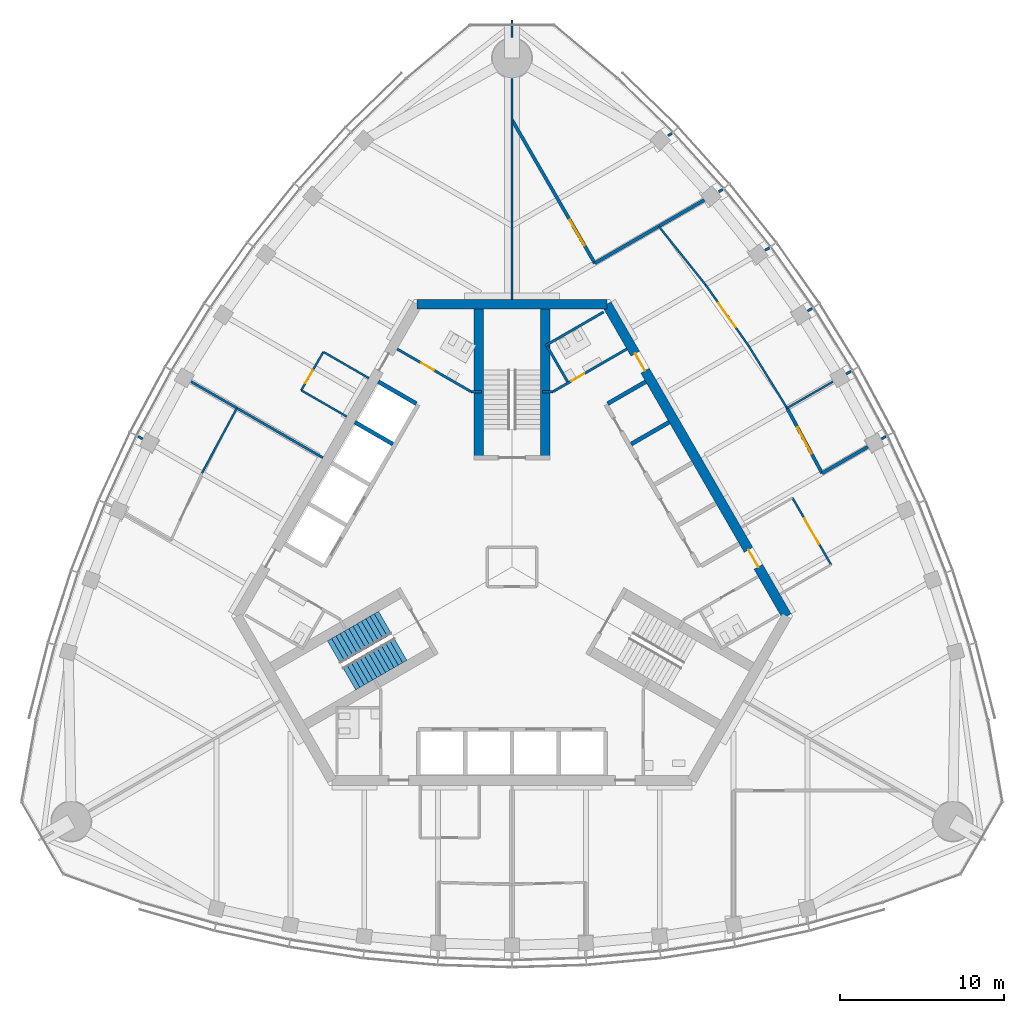
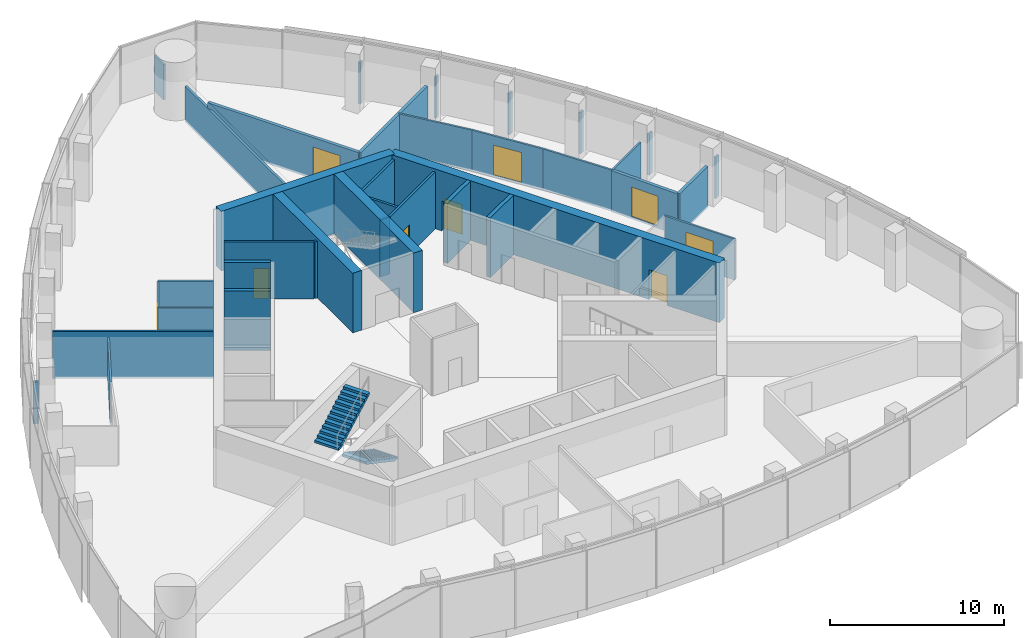
# One storey, part 10 of 16: 37 walls, 9 doors, 2 stair flights, 9 openings, 1 element without a shape of its own.
"""IFC4 building model written with IfcOpenShell, lengths in metres."""

from ifc_helpers import new_model, si_unit, direction, frame, frame_2d, origin, place, context, subcontext, project, spatial, polyline, rectangle, outline, extrude, material, layer, layer_set, type_object, element, fill, aggregate, save


model = new_model("IFC4")

# Units and contexts
model_context = context("Model", 3, precision=1e-05, world=origin(), true_north=direction((0.0, 1.0)))
body_context = subcontext(model_context, "Body", "Model", "MODEL_VIEW")
ifc_project = project(units=[si_unit("LENGTHUNIT", "METRE"), si_unit("AREAUNIT", "SQUARE_METRE"), si_unit("VOLUMEUNIT", "CUBIC_METRE"), si_unit("PLANEANGLEUNIT", "RADIAN"), si_unit("MASSUNIT", "GRAM", prefix="KILO")], contexts=[model_context])

# Site, building, storey
site_placement = place(None, origin())
site = spatial("IfcSite", under=ifc_project, at=site_placement, CompositionType="ELEMENT")
building_placement = place(site_placement, origin())
building = spatial("IfcBuilding", under=site, at=building_placement, Name="Trefoil Bronze Tower", CompositionType="ELEMENT")
storey_placement = place(building_placement, frame((0.0, 0.0, 314.10009765625)))
storey = spatial("IfcBuildingStorey", under=building, at=storey_placement, Name="L72", CompositionType="ELEMENT", Elevation=314.10009765625)

# Wall, opening, door
ifc_material_1 = material(Name="Gypsum board on steel studs", Category="steel")
ifc_layer_1 = layer(ifc_material_1, 0.199951171875)
ifc_layer_set_1 = layer_set([ifc_layer_1], Name="Acoustic partition 200")
wall_type_1 = type_object("IfcWallType", Name="Acoustic partition 200", PredefinedType="PARTITIONING", material=ifc_layer_set_1)
wall_1_placement = place(storey_placement, frame((5.045166015625, 18.50146484375, 0.0), z_axis=(0.0, 0.0, 1.0), x_axis=(-0.499990381663, 0.866030956863, 0.0)))
wall_1 = element("IfcWall", 1, at=wall_1_placement, inside=storey, type_object=wall_type_1, Name="Partition F2 L72", PredefinedType="PARTITIONING", context=body_context, shape_type="SweptSolid", body=[
    extrude(rectangle(XDim=10.070068359375, YDim=0.199951171875, at=frame_2d((5.03515625, 0.0))), origin(), (0.0, 0.0, 1.0), 2.89990234375),
])
opening_1_placement = place(wall_1_placement, frame((1.25, 0.0, 0.14990234375)))
opening_1 = element("IfcOpeningElement", 2, at=opening_1_placement, cuts=wall_1, Name="Opening D10", PredefinedType="OPENING", context=body_context, shape_type="SweptSolid", body=[
    extrude(rectangle(XDim=1.800048828125, YDim=2.10009765625, at=frame_2d((0.89990234375, 1.050048828125))), frame((0.0, 0.10986328125, 0.0), z_axis=(0.0, -1.0, 0.0), x_axis=(1.0, 0.0, 0.0)), (0.0, 0.0, 1.0), 0.219970703125),
])
ifc_material_2 = material(Name="Timber door", Category="wood")
door_type_1 = type_object("IfcDoorType", Name="Double door 1800", OperationType="DOUBLE_DOOR_SINGLE_SWING", PredefinedType="DOOR", material=ifc_material_2)
door_1_placement = place(opening_1_placement, frame((1.800048828125, 0.0, 0.0), z_axis=(0.0, 0.0, 1.0), x_axis=(-1.0, 0.0, 0.0)))
door_1 = element("IfcDoor", 3, at=door_1_placement, inside=storey, type_object=door_type_1, Name="Private dining room door F2 L72", OperationType="DOUBLE_DOOR_SINGLE_SWING", OverallHeight=2.10009765625, OverallWidth=1.800048828125, PredefinedType="DOOR", context=body_context, shape_type="SweptSolid", body=[
    extrude(rectangle(XDim=1.800048828125, YDim=2.10009765625, at=frame_2d((0.89990234375, 1.050048828125))), frame((0.0, 0.02490234375, 0.0), z_axis=(0.0, -1.0, 0.0), x_axis=(1.0, 0.0, 0.0)), (0.0, 0.0, 1.0), 0.050048828125),
])
fill(opening_1, door_1)

wall_2_placement = place(storey_placement, frame((18.890869140625, 5.71044921875, 0.0), z_axis=(0.0, 0.0, 1.0), x_axis=(-0.473524102582, 0.880780860529, 0.0)))
wall_2 = element("IfcWall", 4, at=wall_2_placement, inside=storey, type_object=wall_type_1, Name="Partition F2 L72", PredefinedType="PARTITIONING", context=body_context, shape_type="SweptSolid", body=[
    extrude(rectangle(XDim=4.501953125, YDim=0.199951171875, at=frame_2d((2.2509765625, 0.0))), origin(), (0.0, 0.0, 1.0), 2.89990234375),
])
opening_2_placement = place(wall_2_placement, frame((1.35009765625, 0.0, 0.14990234375)))
opening_2 = element("IfcOpeningElement", 5, at=opening_2_placement, cuts=wall_2, Name="Opening D10", PredefinedType="OPENING", context=body_context, shape_type="SweptSolid", body=[
    extrude(rectangle(XDim=1.800048828125, YDim=2.10009765625, at=frame_2d((0.89990234375, 1.050048828125))), frame((0.0, 0.10986328125, 0.0), z_axis=(0.0, -1.0, 0.0), x_axis=(1.0, 0.0, 0.0)), (0.0, 0.0, 1.0), 0.219970703125),
])
door_2_placement = place(opening_2_placement, frame((1.800048828125, 0.0, 0.0), z_axis=(0.0, 0.0, 1.0), x_axis=(-1.0, 0.0, 0.0)))
door_2 = element("IfcDoor", 6, at=door_2_placement, inside=storey, type_object=door_type_1, Name="Private dining room door F2 L72", OperationType="DOUBLE_DOOR_SINGLE_SWING", OverallHeight=2.10009765625, OverallWidth=1.800048828125, PredefinedType="DOOR", context=body_context, shape_type="SweptSolid", body=[
    extrude(rectangle(XDim=1.800048828125, YDim=2.10009765625, at=frame_2d((0.89990234375, 1.050048828125))), frame((0.0, 0.02490234375, 0.0), z_axis=(0.0, -1.0, 0.0), x_axis=(1.0, 0.0, 0.0)), (0.0, 0.0, 1.0), 0.050048828125),
])
fill(opening_2, door_2)

# Walls
wall_3_placement = place(storey_placement, frame((5.045166015625, 18.50146484375, 0.0), z_axis=(0.0, 0.0, 1.0), x_axis=(0.866043990756, 0.499967805039, 0.0)))
element("IfcWall", 7, at=wall_3_placement, inside=storey, type_object=wall_type_1, Name="Partition F2 L72", PredefinedType="PARTITIONING", context=body_context, shape_type="SweptSolid", body=[
    extrude(rectangle(XDim=7.69482421875, YDim=0.199951171875, at=frame_2d((3.847412109375, 0.0))), origin(), (0.0, 0.0, 1.0), 2.89990234375),
])
wall_4_placement = place(storey_placement, frame((18.890869140625, 5.71044921875, 0.0), z_axis=(0.0, 0.0, 1.0), x_axis=(0.866021328928, 0.500007057792, 0.0)))
element("IfcWall", 8, at=wall_4_placement, inside=storey, type_object=wall_type_1, Name="Partition F2 L72", PredefinedType="PARTITIONING", context=body_context, shape_type="SweptSolid", body=[
    extrude(rectangle(XDim=3.2177734375, YDim=0.199951171875, at=frame_2d((1.60888671875, 0.0))), origin(), (0.0, 0.0, 1.0), 2.89990234375),
])

# Wall, openings, doors
ifc_material_3 = material(Name="Concrete B80", Category="concrete")
ifc_layer_2 = layer(ifc_material_3, 0.60009765625)
ifc_layer_set_2 = layer_set([ifc_layer_2], Name="Core wall 600")
wall_type_2 = type_object("IfcWallType", Name="Core wall 600", PredefinedType="SHEAR", material=ifc_layer_set_2)
wall_5_placement = place(storey_placement, frame((16.7431640625, -3.0, 0.0), z_axis=(0.0, 0.0, 1.0), x_axis=(-0.500002442456, 0.866023993627, 0.0)))
wall_5 = element("IfcWall", 9, at=wall_5_placement, inside=storey, type_object=wall_type_2, Name="Core long wall 2 L72", PredefinedType="SHEAR", context=body_context, shape_type="SweptSolid", body=[
    extrude(rectangle(XDim=21.939453125, YDim=0.60009765625, at=frame_2d((10.9697265625, 0.0))), origin(), (0.0, 0.0, 1.0), 4.199951171875),
])
opening_3_placement = place(wall_5_placement, frame((17.269775390625, 0.0, 0.0)))
opening_3 = element("IfcOpeningElement", 10, at=opening_3_placement, cuts=wall_5, Name="Opening D2", PredefinedType="OPENING", context=body_context, shape_type="SweptSolid", body=[
    extrude(rectangle(XDim=1.199951171875, YDim=2.10009765625, at=frame_2d((0.60009765625, 1.050048828125))), frame((0.0, 0.31005859375, 0.0), z_axis=(0.0, -1.0, 0.0), x_axis=(1.0, 0.0, 0.0)), (0.0, 0.0, 1.0), 0.6201171875),
])
opening_4_placement = place(wall_5_placement, frame((3.4697265625, 0.0, 0.0)))
opening_4 = element("IfcOpeningElement", 11, at=opening_4_placement, cuts=wall_5, Name="Opening D2", PredefinedType="OPENING", context=body_context, shape_type="SweptSolid", body=[
    extrude(rectangle(XDim=1.199951171875, YDim=2.10009765625, at=frame_2d((0.60009765625, 1.050048828125))), frame((0.0, 0.31005859375, 0.0), z_axis=(0.0, -1.0, 0.0), x_axis=(1.0, 0.0, 0.0)), (0.0, 0.0, 1.0), 0.6201171875),
])
ifc_material_4 = material(Name="Steel door", Category="steel")
door_type_2 = type_object("IfcDoorType", Name="Lobby door 1200", OperationType="SINGLE_SWING_RIGHT", PredefinedType="DOOR", material=ifc_material_4)
door_3_placement = place(opening_3_placement, origin())
door_3 = element("IfcDoor", 12, at=door_3_placement, inside=storey, type_object=door_type_2, Name="Lobby door F2+ L72", OperationType="SINGLE_SWING_RIGHT", OverallHeight=2.10009765625, OverallWidth=1.199951171875, PredefinedType="DOOR", context=body_context, shape_type="SweptSolid", body=[
    extrude(rectangle(XDim=1.199951171875, YDim=2.10009765625, at=frame_2d((0.60009765625, 1.050048828125))), frame((0.0, 0.02490234375, 0.0), z_axis=(0.0, -1.0, 0.0), x_axis=(1.0, 0.0, 0.0)), (0.0, 0.0, 1.0), 0.050048828125),
])
fill(opening_3, door_3)
door_4_placement = place(opening_4_placement, origin())
door_4 = element("IfcDoor", 13, at=door_4_placement, inside=storey, type_object=door_type_2, Name="Lobby door F2- L72", OperationType="SINGLE_SWING_LEFT", OverallHeight=2.10009765625, OverallWidth=1.199951171875, PredefinedType="DOOR", context=body_context, shape_type="SweptSolid", body=[
    extrude(rectangle(XDim=1.199951171875, YDim=2.10009765625, at=frame_2d((0.60009765625, 1.050048828125))), frame((0.0, 0.02490234375, 0.0), z_axis=(0.0, -1.0, 0.0), x_axis=(1.0, 0.0, 0.0)), (0.0, 0.0, 1.0), 0.050048828125),
])
fill(opening_4, door_4)

# Wall
wall_6_placement = place(storey_placement, frame((5.7734375, 16.0, 0.0), z_axis=(0.0, 0.0, 1.0), x_axis=(-1.0, 0.0, 0.0)))
element("IfcWall", 14, at=wall_6_placement, inside=storey, type_object=wall_type_2, Name="Core short wall 2 L72", PredefinedType="SHEAR", context=body_context, shape_type="SweptSolid", body=[
    extrude(rectangle(XDim=11.546875, YDim=0.60009765625, at=frame_2d((5.7734375, 0.0))), origin(), (0.0, 0.0, 1.0), 4.199951171875),
])

# Wall, opening, door
ifc_material_5 = material(Name="Glazed partition", Category="glass")
ifc_layer_3 = layer(ifc_material_5, 0.1201171875)
ifc_layer_set_3 = layer_set([ifc_layer_3], Name="Glazed partition 120")
wall_type_3 = type_object("IfcWallType", Name="Glazed partition 120", PredefinedType="PARTITIONING", material=ifc_layer_set_3)
wall_7_placement = place(storey_placement, frame((19.435791015625, 0.13623046875, 0.0), z_axis=(0.0, 0.0, 1.0), x_axis=(-0.499977259774, 0.866038532462, 0.0)))
wall_7 = element("IfcWall", 15, at=wall_7_placement, inside=storey, type_object=wall_type_3, Name="Partition F2 L72", PredefinedType="PARTITIONING", context=body_context, shape_type="SweptSolid", body=[
    extrude(rectangle(XDim=4.699951171875, YDim=0.1201171875, at=frame_2d((2.35009765625, 0.0))), origin(), (0.0, 0.0, 1.0), 2.89990234375),
])
opening_5_placement = place(wall_7_placement, frame((1.449951171875, 0.0, 0.14990234375)))
opening_5 = element("IfcOpeningElement", 16, at=opening_5_placement, cuts=wall_7, Name="Opening D10", PredefinedType="OPENING", context=body_context, shape_type="SweptSolid", body=[
    extrude(rectangle(XDim=1.800048828125, YDim=2.10009765625, at=frame_2d((0.89990234375, 1.050048828125))), frame((0.0, 0.070068359375, 0.0), z_axis=(0.0, -1.0, 0.0), x_axis=(1.0, 0.0, 0.0)), (0.0, 0.0, 1.0), 0.14013671875),
])
door_5_placement = place(opening_5_placement, frame((1.800048828125, 0.0, 0.0), z_axis=(0.0, 0.0, 1.0), x_axis=(-1.0, 0.0, 0.0)))
door_5 = element("IfcDoor", 17, at=door_5_placement, inside=storey, type_object=door_type_1, Name="Reception door F2 L72", OperationType="DOUBLE_DOOR_SINGLE_SWING", OverallHeight=2.10009765625, OverallWidth=1.800048828125, PredefinedType="DOOR", context=body_context, shape_type="SweptSolid", body=[
    extrude(rectangle(XDim=1.800048828125, YDim=2.10009765625, at=frame_2d((0.89990234375, 1.050048828125))), frame((0.0, 0.02490234375, 0.0), z_axis=(0.0, -1.0, 0.0), x_axis=(1.0, 0.0, 0.0)), (0.0, 0.0, 1.0), 0.050048828125),
])
fill(opening_5, door_5)

# Wall
wall_8_placement = place(storey_placement, frame((16.759033203125, 9.67578125, 0.0), z_axis=(0.0, 0.0, 1.0), x_axis=(-0.525996140194, 0.850486954927, 0.0)))
element("IfcWall", 18, at=wall_8_placement, inside=storey, type_object=wall_type_3, Name="Partition F2 L72", PredefinedType="PARTITIONING", context=body_context, shape_type="SweptSolid", body=[
    extrude(rectangle(XDim=4.502197265625, YDim=0.1201171875, at=frame_2d((2.2509765625, 0.0))), origin(), (0.0, 0.0, 1.0), 2.89990234375),
])

# Wall, opening, door
wall_9_placement = place(storey_placement, frame((14.390869140625, 13.5048828125, 0.0), z_axis=(0.0, 0.0, 1.0), x_axis=(-0.576562277172, 0.817053205454, 0.0)))
wall_9 = element("IfcWall", 19, at=wall_9_placement, inside=storey, type_object=wall_type_3, Name="Partition F2 L72", PredefinedType="PARTITIONING", context=body_context, shape_type="SweptSolid", body=[
    extrude(rectangle(XDim=4.5185546875, YDim=0.1201171875, at=frame_2d((2.25927734375, 0.0))), origin(), (0.0, 0.0, 1.0), 2.89990234375),
])
opening_6_placement = place(wall_9_placement, frame((1.35009765625, 0.0, 0.14990234375)))
opening_6 = element("IfcOpeningElement", 20, at=opening_6_placement, cuts=wall_9, Name="Opening D10", PredefinedType="OPENING", context=body_context, shape_type="SweptSolid", body=[
    extrude(rectangle(XDim=1.800048828125, YDim=2.10009765625, at=frame_2d((0.89990234375, 1.050048828125))), frame((0.0, 0.070068359375, 0.0), z_axis=(0.0, -1.0, 0.0), x_axis=(1.0, 0.0, 0.0)), (0.0, 0.0, 1.0), 0.14013671875),
])
door_6_placement = place(opening_6_placement, frame((1.800048828125, 0.0, 0.0), z_axis=(0.0, 0.0, 1.0), x_axis=(-1.0, 0.0, 0.0)))
door_6 = element("IfcDoor", 21, at=door_6_placement, inside=storey, type_object=door_type_1, Name="Dining room door F2 L72", OperationType="DOUBLE_DOOR_SINGLE_SWING", OverallHeight=2.10009765625, OverallWidth=1.800048828125, PredefinedType="DOOR", context=body_context, shape_type="SweptSolid", body=[
    extrude(rectangle(XDim=1.800048828125, YDim=2.10009765625, at=frame_2d((0.89990234375, 1.050048828125))), frame((0.0, 0.02490234375, 0.0), z_axis=(0.0, -1.0, 0.0), x_axis=(1.0, 0.0, 0.0)), (0.0, 0.0, 1.0), 0.050048828125),
])
fill(opening_6, door_6)

# Walls
wall_10_placement = place(storey_placement, frame((11.78564453125, 17.19677734375, 0.0), z_axis=(0.0, 0.0, 1.0), x_axis=(-0.625263875383, 0.780413407202, 0.0)))
element("IfcWall", 22, at=wall_10_placement, inside=storey, type_object=wall_type_3, Name="Partition F2 L72", PredefinedType="PARTITIONING", context=body_context, shape_type="SweptSolid", body=[
    extrude(rectangle(XDim=4.552490234375, YDim=0.1201171875, at=frame_2d((2.2763671875, 0.0))), origin(), (0.0, 0.0, 1.0), 2.89990234375),
])
wall_11_placement = place(storey_placement, frame((16.759033203125, 9.67578125, 0.0), z_axis=(0.0, 0.0, 1.0), x_axis=(0.866008816382, 0.500028729123, 0.0)))
element("IfcWall", 23, at=wall_11_placement, inside=storey, type_object=wall_type_3, Name="Partition F2 L72", PredefinedType="PARTITIONING", context=body_context, shape_type="SweptSolid", body=[
    extrude(rectangle(XDim=3.219970703125, YDim=0.1201171875, at=frame_2d((1.60986328125, 0.0))), origin(), (0.0, 0.0, 1.0), 2.89990234375),
])

# Wall, opening, door
wall_12_placement = place(storey_placement, frame((-11.489501953125, 13.099853515625, 0.0), z_axis=(0.0, 0.0, 1.0), x_axis=(-0.4999416173, -0.866059108428, 0.0)))
wall_12 = element("IfcWall", 24, at=wall_12_placement, inside=storey, type_object=wall_type_3, Name="Partition F3 L72", PredefinedType="PARTITIONING", context=body_context, shape_type="SweptSolid", body=[
    extrude(rectangle(XDim=2.699951171875, YDim=0.1201171875, at=frame_2d((1.35009765625, 0.0))), origin(), (0.0, 0.0, 1.0), 2.89990234375),
])
opening_7_placement = place(wall_12_placement, frame((1.300048828125, 0.0, 0.14990234375)))
opening_7 = element("IfcOpeningElement", 25, at=opening_7_placement, cuts=wall_12, Name="Opening D8", PredefinedType="OPENING", context=body_context, shape_type="SweptSolid", body=[
    extrude(rectangle(XDim=0.89990234375, YDim=2.10009765625, at=frame_2d((0.449951171875, 1.050048828125))), frame((0.0, 0.070068359375, 0.0), z_axis=(0.0, -1.0, 0.0), x_axis=(1.0, 0.0, 0.0)), (0.0, 0.0, 1.0), 0.14013671875),
])
ifc_material_6 = material(Name="Timber door", Category="wood")
door_type_3 = type_object("IfcDoorType", Name="Office door 900", OperationType="SINGLE_SWING_LEFT", PredefinedType="DOOR", material=ifc_material_6)
door_7_placement = place(opening_7_placement, origin())
door_7 = element("IfcDoor", 26, at=door_7_placement, inside=storey, type_object=door_type_3, Name="Store door F3 L72", OperationType="SINGLE_SWING_RIGHT", OverallHeight=2.10009765625, OverallWidth=0.89990234375, PredefinedType="DOOR", context=body_context, shape_type="SweptSolid", body=[
    extrude(rectangle(XDim=0.89990234375, YDim=2.10009765625, at=frame_2d((0.449951171875, 1.050048828125))), frame((0.0, 0.02490234375, 0.0), z_axis=(0.0, -1.0, 0.0), x_axis=(1.0, 0.0, 0.0)), (0.0, 0.0, 1.0), 0.050048828125),
])
fill(opening_7, door_7)

# Walls
wall_13_placement = place(storey_placement, frame((-10.068115234375, 9.161376953125, 0.0), z_axis=(0.0, 0.0, 1.0), x_axis=(-0.866008981251, 0.500028443584, 0.0)))
element("IfcWall", 27, at=wall_13_placement, inside=storey, type_object=wall_type_3, Name="Partition F3 L72", PredefinedType="PARTITIONING", context=body_context, shape_type="SweptSolid", body=[
    extrude(rectangle(XDim=3.199951171875, YDim=0.1201171875, at=frame_2d((1.60009765625, 0.0))), origin(), (0.0, 0.0, 1.0), 2.89990234375),
])
wall_14_placement = place(storey_placement, frame((-8.718017578125, 11.499755859375, 0.0), z_axis=(0.0, 0.0, 1.0), x_axis=(-0.866028054938, 0.499995408039, 0.0)))
element("IfcWall", 28, at=wall_14_placement, inside=storey, type_object=wall_type_3, Name="Partition F3 L72", PredefinedType="PARTITIONING", context=body_context, shape_type="SweptSolid", body=[
    extrude(rectangle(XDim=3.2001953125, YDim=0.1201171875, at=frame_2d((1.60009765625, 0.0))), origin(), (0.0, 0.0, 1.0), 2.89990234375),
])
wall_15_placement = place(storey_placement, frame((-16.759033203125, 9.67578125, 0.0), z_axis=(0.0, 0.0, 1.0), x_axis=(-0.473524102582, -0.880780860529, 0.0)))
element("IfcWall", 29, at=wall_15_placement, inside=storey, type_object=wall_type_3, Name="Partition F3 L72", PredefinedType="PARTITIONING", context=body_context, shape_type="SweptSolid", body=[
    extrude(rectangle(XDim=4.501953125, YDim=0.1201171875, at=frame_2d((2.2509765625, 0.0))), origin(), (0.0, 0.0, 1.0), 2.89990234375),
])

# Wall, opening, door
ifc_material_7 = material(Name="Gypsum board on steel studs", Category="steel")
ifc_layer_4 = layer(ifc_material_7, 0.14990234375)
ifc_layer_set_4 = layer_set([ifc_layer_4], Name="Partition 150")
wall_type_4 = type_object("IfcWallType", Name="Partition 150", PredefinedType="PARTITIONING", material=ifc_layer_set_4)
wall_16_placement = place(storey_placement, frame((2.4951171875, 10.67822265625, 0.0), z_axis=(0.0, 0.0, 1.0), x_axis=(0.866021400173, 0.500006934395, 0.0)))
wall_16 = element("IfcWall", 30, at=wall_16_placement, inside=storey, type_object=wall_type_4, Name="Passage wall F2+ L72", PredefinedType="PARTITIONING", context=body_context, shape_type="SweptSolid", body=[
    extrude(rectangle(XDim=5.2001953125, YDim=0.14990234375, at=frame_2d((2.60009765625, 0.0))), origin(), (0.0, 0.0, 1.0), 4.0),
])
opening_8_placement = place(wall_16_placement, frame((1.300048828125, 0.0, 0.0)))
opening_8 = element("IfcOpeningElement", 31, at=opening_8_placement, cuts=wall_16, Name="Opening D3", PredefinedType="OPENING", context=body_context, shape_type="SweptSolid", body=[
    extrude(rectangle(XDim=0.89990234375, YDim=2.10009765625, at=frame_2d((0.449951171875, 1.050048828125))), frame((0.0, 0.0849609375, 0.0), z_axis=(0.0, -1.0, 0.0), x_axis=(1.0, 0.0, 0.0)), (0.0, 0.0, 1.0), 0.169921875),
])
ifc_material_8 = material(Name="Timber door", Category="wood")
door_type_4 = type_object("IfcDoorType", Name="WC door 900", OperationType="SINGLE_SWING_LEFT", PredefinedType="DOOR", material=ifc_material_8)
door_8_placement = place(opening_8_placement, origin())
door_8 = element("IfcDoor", 32, at=door_8_placement, inside=storey, type_object=door_type_4, Name="WC (men) door L72", OperationType="SINGLE_SWING_LEFT", OverallHeight=2.10009765625, OverallWidth=0.89990234375, PredefinedType="DOOR", context=body_context, shape_type="SweptSolid", body=[
    extrude(rectangle(XDim=0.89990234375, YDim=2.10009765625, at=frame_2d((0.449951171875, 1.050048828125))), frame((0.0, 0.02490234375, 0.0), z_axis=(0.0, -1.0, 0.0), x_axis=(1.0, 0.0, 0.0)), (0.0, 0.0, 1.0), 0.050048828125),
])
fill(opening_8, door_8)

wall_17_placement = place(storey_placement, frame((-2.4951171875, 10.67822265625, 0.0), z_axis=(0.0, 0.0, 1.0), x_axis=(-0.866021400173, 0.500006934395, 0.0)))
wall_17 = element("IfcWall", 33, at=wall_17_placement, inside=storey, type_object=wall_type_4, Name="Passage wall F3- L72", PredefinedType="PARTITIONING", context=body_context, shape_type="SweptSolid", body=[
    extrude(rectangle(XDim=5.2001953125, YDim=0.14990234375, at=frame_2d((2.60009765625, 0.0))), origin(), (0.0, 0.0, 1.0), 4.0),
])
opening_9_placement = place(wall_17_placement, frame((2.60009765625, 0.0, 0.0)))
opening_9 = element("IfcOpeningElement", 34, at=opening_9_placement, cuts=wall_17, Name="Opening D3", PredefinedType="OPENING", context=body_context, shape_type="SweptSolid", body=[
    extrude(rectangle(XDim=0.89990234375, YDim=2.10009765625, at=frame_2d((0.449951171875, 1.050048828125))), frame((0.0, 0.0849609375, 0.0), z_axis=(0.0, -1.0, 0.0), x_axis=(1.0, 0.0, 0.0)), (0.0, 0.0, 1.0), 0.169921875),
])
door_9_placement = place(opening_9_placement, frame((0.89990234375, 0.0, 0.0), z_axis=(0.0, 0.0, 1.0), x_axis=(-1.0, 0.0, 0.0)))
door_9 = element("IfcDoor", 35, at=door_9_placement, inside=storey, type_object=door_type_4, Name="WC (women) door L72", OperationType="SINGLE_SWING_LEFT", OverallHeight=2.10009765625, OverallWidth=0.89990234375, PredefinedType="DOOR", context=body_context, shape_type="SweptSolid", body=[
    extrude(rectangle(XDim=0.89990234375, YDim=2.10009765625, at=frame_2d((0.449951171875, 1.050048828125))), frame((0.0, 0.02490234375, 0.0), z_axis=(0.0, -1.0, 0.0), x_axis=(1.0, 0.0, 0.0)), (0.0, 0.0, 1.0), 0.050048828125),
])
fill(opening_9, door_9)

# Walls
for number, where, z_axis, x_axis, name in (
    (36, (2.4951171875, 10.67822265625, 0.0), (0.0, 0.0, 1.0), (-1.0, 0.0, 0.0), "WC wall ST2-1 L72"),
    (37, (-2.4951171875, 10.67822265625, 0.0), (0.0, 0.0, 1.0), (1.0, 0.0, 0.0), "WC wall ST2+1 L72"),
):
    element("IfcWall", number, at=place(storey_placement, frame(where, z_axis=z_axis, x_axis=x_axis)), inside=storey, type_object=wall_type_4, Name=name, PredefinedType="PARTITIONING", context=body_context, shape_type="SweptSolid", body=[
        extrude(rectangle(XDim=0.64501953125, YDim=0.14990234375, at=frame_2d((0.322509765625, 0.0))), origin(), (0.0, 0.0, 1.0), 4.0),
    ])
wall_18_placement = place(storey_placement, frame((2.03125, 13.48193359375, 0.0), z_axis=(0.0, 0.0, 1.0), x_axis=(0.866050731258, 0.499956128963, 0.0)))
element("IfcWall", 38, at=wall_18_placement, inside=storey, type_object=wall_type_4, Name="WC partition WC (men) L72", PredefinedType="PARTITIONING", context=body_context, shape_type="SweptSolid", body=[
    extrude(rectangle(XDim=4.099853515625, YDim=0.14990234375, at=frame_2d((2.0498046875, 0.0))), origin(), (0.0, 0.0, 1.0), 4.0),
])
wall_19_placement = place(storey_placement, frame((3.388671875, 11.28076171875, 0.0), z_axis=(0.0, 0.0, 1.0), x_axis=(-0.499989096993, 0.866031698547, 0.0)))
element("IfcWall", 39, at=wall_19_placement, inside=storey, type_object=wall_type_4, Name="WC partition WC (men) L72", PredefinedType="PARTITIONING", context=body_context, shape_type="SweptSolid", body=[
    extrude(rectangle(XDim=2.509765625, YDim=0.14990234375, at=frame_2d((1.2548828125, 0.0))), origin(), (0.0, 0.0, 1.0), 4.0),
])
wall_20_placement = place(storey_placement, frame((12.58935546875, 22.85693359375, 0.0), z_axis=(0.0, 0.0, 1.0), x_axis=(0.865982457891, 0.500074377092, 0.0)))
element("IfcWall", 40, at=wall_20_placement, inside=storey, type_object=wall_type_4, Name="Partition F2 L72", PredefinedType="PARTITIONING", context=body_context, shape_type="SweptSolid", body=[
    extrude(rectangle(XDim=0.2802734375, YDim=0.14990234375, at=frame_2d((0.14013671875, 0.0))), origin(), (0.0, 0.0, 1.0), 2.89990234375),
])
wall_21_placement = place(storey_placement, frame((9.503662109375, 26.271484375, 0.0), z_axis=(0.0, 0.0, 1.0), x_axis=(0.866004557827, 0.500036104519, 0.0)))
element("IfcWall", 41, at=wall_21_placement, inside=storey, type_object=wall_type_4, Name="Partition F2 L72", PredefinedType="PARTITIONING", context=body_context, shape_type="SweptSolid", body=[
    extrude(rectangle(XDim=0.26953125, YDim=0.14990234375, at=frame_2d((0.134765625, 0.0))), origin(), (0.0, 0.0, 1.0), 2.89990234375),
])
wall_22_placement = place(storey_placement, frame((18.010009765625, 15.59423828125, 0.0), z_axis=(0.0, 0.0, 1.0), x_axis=(0.866095534226, 0.499878510834, 0.0)))
element("IfcWall", 42, at=wall_22_placement, inside=storey, type_object=wall_type_4, Name="Partition F2 L72", PredefinedType="PARTITIONING", context=body_context, shape_type="SweptSolid", body=[
    extrude(rectangle(XDim=0.31591796875, YDim=0.14990234375, at=frame_2d((0.157958984375, 0.0))), origin(), (0.0, 0.0, 1.0), 2.89990234375),
])
wall_23_placement = place(storey_placement, frame((15.42236328125, 19.29638671875, 0.0), z_axis=(0.0, 0.0, 1.0), x_axis=(0.865896854829, 0.500222587251, 0.0)))
element("IfcWall", 43, at=wall_23_placement, inside=storey, type_object=wall_type_4, Name="Partition F2 L72", PredefinedType="PARTITIONING", context=body_context, shape_type="SweptSolid", body=[
    extrude(rectangle(XDim=0.295654296875, YDim=0.14990234375, at=frame_2d((0.14794921875, 0.0))), origin(), (0.0, 0.0, 1.0), 2.89990234375),
])
wall_24_placement = place(storey_placement, frame((20.3564453125, 11.752685546875, 0.0), z_axis=(0.0, 0.0, 1.0), x_axis=(0.865899514186, 0.500217983815, 0.0)))
element("IfcWall", 44, at=wall_24_placement, inside=storey, type_object=wall_type_4, Name="Partition F2 L72", PredefinedType="PARTITIONING", context=body_context, shape_type="SweptSolid", body=[
    extrude(rectangle(XDim=0.341064453125, YDim=0.14990234375, at=frame_2d((0.17041015625, 0.0))), origin(), (0.0, 0.0, 1.0), 2.89990234375),
])
for number, where, z_axis, x_axis, name in (
    (45, (22.510009765625, 7.800048828125, 0.0), (0.0, 0.0, 1.0), (0.866095534226, 0.499878510834, 0.0), "Partition F2 L72"),
    (46, (-22.510009765625, 7.800048828125, 0.0), (0.0, 0.0, 1.0), (-0.866095534226, 0.499878510834, 0.0), "Partition F3 L72"),
):
    element("IfcWall", number, at=place(storey_placement, frame(where, z_axis=z_axis, x_axis=x_axis)), inside=storey, type_object=wall_type_4, Name=name, PredefinedType="PARTITIONING", context=body_context, shape_type="SweptSolid", body=[
        extrude(rectangle(XDim=0.31591796875, YDim=0.14990234375, at=frame_2d((0.157958984375, 0.0))), origin(), (0.0, 0.0, 1.0), 2.89990234375),
    ])
ifc_material_9 = material(Name="Gypsum board on steel studs", Category="steel")
ifc_layer_5 = layer(ifc_material_9, 0.14990234375)
ifc_layer_set_5 = layer_set([ifc_layer_5], Name="Party wall 150")
wall_type_5 = type_object("IfcWallType", Name="Party wall 150", PredefinedType="PARTITIONING", material=ifc_layer_set_5)
wall_25_placement = place(storey_placement, frame((0.0, 16.300048828125, 0.0), z_axis=(0.0, 0.0, 1.0), x_axis=(0.0, 1.0, 0.0)))
element("IfcWall", 47, at=wall_25_placement, inside=storey, type_object=wall_type_5, Name="Party wall K2 L72", PredefinedType="PARTITIONING", context=body_context, shape_type="SweptSolid", body=[
    extrude(rectangle(XDim=13.449951171875, YDim=0.14990234375, at=frame_2d((6.72509765625, 0.0))), origin(), (0.0, 0.0, 1.0), 2.5),
])
wall_26_placement = place(storey_placement, frame((0.0, 32.25, 0.0), z_axis=(0.0, 0.0, 1.0), x_axis=(0.0, 1.0, 0.0)))
element("IfcWall", 48, at=wall_26_placement, inside=storey, type_object=wall_type_5, Name="Party wall K2 L72", PredefinedType="PARTITIONING", context=body_context, shape_type="SweptSolid", body=[
    extrude(rectangle(XDim=1.06982421875, YDim=0.14990234375, at=frame_2d((0.534912109375, 0.0))), origin(), (0.0, 0.0, 1.0), 2.5),
])
wall_27_placement = place(storey_placement, frame((-11.52685546875, 6.655029296875, 0.0), z_axis=(0.0, 0.0, 1.0), x_axis=(-0.866021846952, 0.500006160563, 0.0)))
element("IfcWall", 49, at=wall_27_placement, inside=storey, type_object=wall_type_5, Name="Demising wall F3 L72", PredefinedType="PARTITIONING", context=body_context, shape_type="SweptSolid", body=[
    extrude(rectangle(XDim=9.26171875, YDim=0.14990234375, at=frame_2d((4.630859375, 0.0))), origin(), (0.0, 0.0, 1.0), 3.2998046875),
])
ifc_material_10 = material(Name="Concrete B80", Category="concrete")
ifc_layer_6 = layer(ifc_material_10, 0.25)
ifc_layer_set_6 = layer_set([ifc_layer_6], Name="Shaft wall 250")
wall_type_6 = type_object("IfcWallType", Name="Shaft wall 250", PredefinedType="SHEAR", material=ifc_layer_set_6)
for number, where, z_axis, x_axis, name in (
    (50, (7.2568359375, 7.480712890625, 0.0), (0.0, 0.0, 1.0), (0.86604424267, 0.499967368674, 0.0), "Lift shaft side wall B3 L72"),
    (51, (5.831787109375, 9.94873046875, 0.0), (0.0, 0.0, 1.0), (0.866004723184, 0.50003581814, 0.0), "Lift shaft side wall B4 L72"),
    (52, (-5.831787109375, 9.94873046875, 0.0), (0.0, 0.0, 1.0), (-0.866004723184, 0.50003581814, 0.0), "Lift shaft side wall C0 L72"),
    (53, (-7.2568359375, 7.480712890625, 0.0), (0.0, 0.0, 1.0), (-0.86604424267, 0.499967368674, 0.0), "Lift shaft side wall C1 L72"),
):
    element("IfcWall", number, at=place(storey_placement, frame(where, z_axis=z_axis, x_axis=x_axis)), inside=storey, type_object=wall_type_6, Name=name, PredefinedType="SHEAR", context=body_context, shape_type="SweptSolid", body=[
        extrude(rectangle(XDim=2.675048828125, YDim=0.25, at=frame_2d((1.33740234375, 0.0))), origin(), (0.0, 0.0, 1.0), 4.199951171875),
    ])
ifc_material_11 = material(Name="Concrete B80", Category="concrete")
ifc_layer_7 = layer(ifc_material_11, 0.60009765625)
ifc_layer_set_7 = layer_set([ifc_layer_7], Name="Stair wall 600")
wall_type_7 = type_object("IfcWallType", Name="Stair wall 600", PredefinedType="SHEAR", material=ifc_layer_set_7)
for number, where, z_axis, x_axis, name in (
    (54, (2.02490234375, 6.52490234375, 0.0), (0.0, 0.0, 1.0), (0.0, 1.0, 0.0), "Stair wall ST2 L72"),
    (55, (-2.02490234375, 6.52490234375, 0.0), (0.0, 0.0, 1.0), (0.0, 1.0, 0.0), "Stair wall ST2 L72"),
):
    element("IfcWall", number, at=place(storey_placement, frame(where, z_axis=z_axis, x_axis=x_axis)), inside=storey, type_object=wall_type_7, Name=name, PredefinedType="SHEAR", context=body_context, shape_type="SweptSolid", body=[
        extrude(rectangle(XDim=9.175048828125, YDim=0.60009765625, at=frame_2d((4.58740234375, 0.0))), origin(), (0.0, 0.0, 1.0), 4.199951171875),
    ])

# Stair, stair flights
ifc_material_12 = material(Name="Precast concrete B80", Category="concrete")
stair_type = type_object("IfcStairType", Name="Exit stair 26 risers", PredefinedType="HALF_TURN_STAIR", material=ifc_material_12)
stair_placement = place(storey_placement, origin())
stair = element("IfcStair", 56, at=stair_placement, inside=storey, type_object=stair_type, Name="Stair ST3 L72", PredefinedType="HALF_TURN_STAIR")
ifc_material_13 = material(Name="Precast concrete B80", Category="concrete")
stair_flight_type = type_object("IfcStairFlightType", Name="Stair flight 1600", PredefinedType="STRAIGHT", material=ifc_material_13)
stair_flight_1_placement = place(storey_placement, frame((-6.803466796875, -4.99609375, 0.0), z_axis=(0.0, 0.0, 1.0), x_axis=(-0.866025403784, -0.5, 0.0)))
stair_flight_1 = element("IfcStairFlight", 57, at=stair_flight_1_placement, type_object=stair_flight_type, Name="ST3 flight 1", NumberOfRisers=13, NumberOfTreads=12, PredefinedType="STRAIGHT", RiserHeight=0.161538462, TreadLength=0.3, context=body_context, shape_type="SweptSolid", body=[
    extrude(outline(polyline([(0.0, 0.0), (0.0, 0.16162109375), (0.300048828125, 0.16162109375), (0.300048828125, 0.322998046875), (0.60009765625, 0.322998046875), (0.60009765625, 0.484619140625), (0.89990234375, 0.484619140625), (0.89990234375, 0.646240234375), (1.199951171875, 0.646240234375), (1.199951171875, 0.8076171875), (1.5, 0.8076171875), (1.5, 0.96923828125), (1.800048828125, 0.96923828125), (1.800048828125, 1.130859375), (2.10009765625, 1.130859375), (2.10009765625, 1.292236328125), (2.39990234375, 1.292236328125), (2.39990234375, 1.453857421875), (2.699951171875, 1.453857421875), (2.699951171875, 1.615478515625), (3.0, 1.615478515625), (3.0, 1.77685546875), (3.300048828125, 1.77685546875), (3.300048828125, 1.9384765625), (3.60009765625, 1.9384765625), (3.60009765625, 2.10009765625), (3.60009765625, 1.768310546875), (0.316162109375, 0.0), (0.0, 0.0)])), frame((0.0, 0.800048828125, 0.0), z_axis=(0.0, -1.0, 0.0), x_axis=(1.0, 0.0, 0.0)), (0.0, 0.0, 1.0), 1.60009765625),
])
stair_flight_2_placement = place(storey_placement, frame((-10.84619140625, -5.19384765625, 2.099853515625), z_axis=(0.0, 0.0, 1.0), x_axis=(0.866025403784, 0.5, 0.0)))
stair_flight_2 = element("IfcStairFlight", 58, at=stair_flight_2_placement, type_object=stair_flight_type, Name="ST3 flight 2", NumberOfRisers=13, NumberOfTreads=12, PredefinedType="STRAIGHT", RiserHeight=0.161538462, TreadLength=0.3, context=body_context, shape_type="SweptSolid", body=[
    extrude(outline(polyline([(0.0, 0.0), (0.0, 0.16162109375), (0.300048828125, 0.16162109375), (0.300048828125, 0.322998046875), (0.60009765625, 0.322998046875), (0.60009765625, 0.484619140625), (0.89990234375, 0.484619140625), (0.89990234375, 0.646240234375), (1.199951171875, 0.646240234375), (1.199951171875, 0.8076171875), (1.5, 0.8076171875), (1.5, 0.96923828125), (1.800048828125, 0.96923828125), (1.800048828125, 1.130859375), (2.10009765625, 1.130859375), (2.10009765625, 1.292236328125), (2.39990234375, 1.292236328125), (2.39990234375, 1.453857421875), (2.699951171875, 1.453857421875), (2.699951171875, 1.615478515625), (3.0, 1.615478515625), (3.0, 1.77685546875), (3.300048828125, 1.77685546875), (3.300048828125, 1.9384765625), (3.60009765625, 1.9384765625), (3.60009765625, 2.10009765625), (3.60009765625, 1.768310546875), (0.316162109375, 0.0), (0.0, 0.0)])), frame((0.0, 0.800048828125, 0.0), z_axis=(0.0, -1.0, 0.0), x_axis=(1.0, 0.0, 0.0)), (0.0, 0.0, 1.0), 1.60009765625),
])
aggregate(stair, [stair_flight_1, stair_flight_2])

save(model, "model.ifc")
